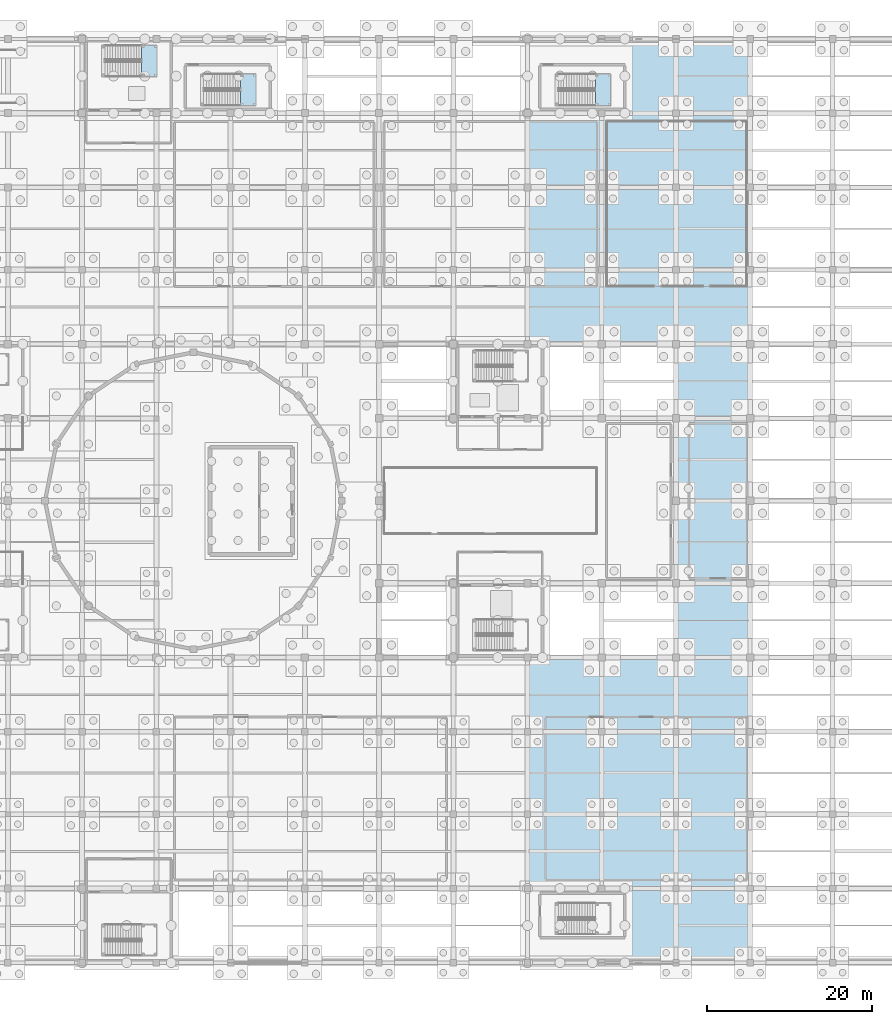
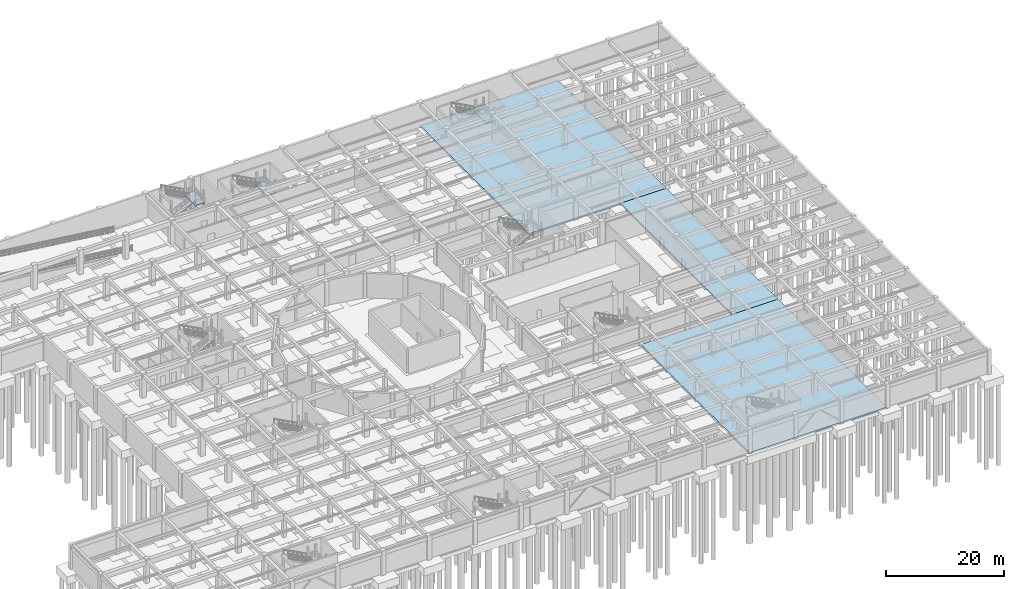
# One storey, part 35 of 62: 6 slabs, 3 elements without a shape of their own.
"""IFC4 building model written with IfcOpenShell, lengths in metres."""

from ifc_helpers import new_model, si_unit, direction, frame, origin, place, context, subcontext, project, spatial, polyline, outline, extrude, material, layer, layer_set, type_object, element, aggregate, save


model = new_model("IFC4")

# Units and contexts
model_context = context("Model", 3, precision=1e-05, world=origin(), true_north=direction((0.0, 1.0)))
body_context = subcontext(model_context, "Body", "Model", "MODEL_VIEW")
ifc_project = project(units=[si_unit("LENGTHUNIT", "METRE"), si_unit("AREAUNIT", "SQUARE_METRE"), si_unit("VOLUMEUNIT", "CUBIC_METRE"), si_unit("PLANEANGLEUNIT", "RADIAN"), si_unit("MASSUNIT", "GRAM", prefix="KILO")], contexts=[model_context])

# Site, building, storey
site_placement = place(None, origin())
site = spatial("IfcSite", under=ifc_project, at=site_placement, CompositionType="ELEMENT")
building_placement = place(site_placement, origin())
building = spatial("IfcBuilding", under=site, at=building_placement, Name="Miravela Opera House", CompositionType="ELEMENT")
storey_placement = place(building_placement, frame((0.0, 0.0, -5.10009765625)))
storey = spatial("IfcBuildingStorey", under=building, at=storey_placement, Name="B01", CompositionType="ELEMENT", Elevation=-5.10009765625)

# Stair, slab
ifc_material = material(Name="Concrete C35/45", Category="concrete")
stair_type_1 = type_object("IfcStairType", Name="ARC-STAIR-CORE-1680", PredefinedType="HALF_TURN_STAIR", material=ifc_material)
stair_1_placement = place(storey_placement, origin())
stair_1 = element("IfcStair", 1, at=stair_1_placement, inside=storey, type_object=stair_type_1, Name="B01 Core K5 North Rehearsal Core Exit Stair ST-05", PredefinedType="HALF_TURN_STAIR")
ifc_layer_1 = layer(ifc_material, 0.199951171875)
ifc_layer_set_1 = layer_set([ifc_layer_1])
slab_type_1 = type_object("IfcSlabType", Name="ARC-LANDING-200", PredefinedType="LANDING", material=ifc_layer_set_1)
slab_1_placement = place(storey_placement, frame((0.0, 0.0, 2.35009765625)))
slab_1 = element("IfcSlab", 2, at=slab_1_placement, type_object=slab_type_1, Name="ST-05 landing 1", PredefinedType="LANDING", context=body_context, shape_type="SweptSolid", body=[
    extrude(outline(polyline([(70.219970703125, 107.39990234375), (72.10009765625, 107.39990234375), (72.10009765625, 111.280029296875), (70.219970703125, 111.280029296875), (70.219970703125, 107.39990234375)])), origin(), (0.0, 0.0, 1.0), 0.199951171875),
])
aggregate(stair_1, [slab_1])

stair_type_2 = type_object("IfcStairType", Name="ARC-STAIR-WING-1680", PredefinedType="HALF_TURN_STAIR", material=ifc_material)
stair_2_placement = place(storey_placement, origin())
stair_2 = element("IfcStair", 3, at=stair_2_placement, inside=storey, type_object=stair_type_2, Name="B01 North Wing West Exit Stair ST-07", PredefinedType="HALF_TURN_STAIR")
ifc_layer_2 = layer(ifc_material, 0.215087890625)
ifc_layer_set_2 = layer_set([ifc_layer_2])
slab_type_2 = type_object("IfcSlabType", Name="ARC-LANDING-215", PredefinedType="LANDING", material=ifc_layer_set_2)
slab_2_placement = place(storey_placement, frame((0.0, 0.0, 2.335205078125)))
slab_2 = element("IfcSlab", 4, at=slab_2_placement, type_object=slab_type_2, Name="ST-07 landing 1", PredefinedType="LANDING", context=body_context, shape_type="SweptSolid", body=[
    extrude(outline(polyline([(82.219970703125, 103.89990234375), (84.10009765625, 103.89990234375), (84.10009765625, 107.780029296875), (82.219970703125, 107.780029296875), (82.219970703125, 103.89990234375)])), origin(), (0.0, 0.0, 1.0), 0.21484375),
])
aggregate(stair_2, [slab_2])

stair_3_placement = place(storey_placement, origin())
stair_3 = element("IfcStair", 5, at=stair_3_placement, inside=storey, type_object=stair_type_2, Name="B01 East Rehearsal Wing Exit Stair ST-09", PredefinedType="HALF_TURN_STAIR")
slab_3_placement = place(storey_placement, frame((0.0, 0.0, 2.335205078125)))
slab_3 = element("IfcSlab", 6, at=slab_3_placement, type_object=slab_type_2, Name="ST-09 landing 1", PredefinedType="LANDING", context=body_context, shape_type="SweptSolid", body=[
    extrude(outline(polyline([(125.219970703125, 103.89990234375), (127.10009765625, 103.89990234375), (127.10009765625, 107.780029296875), (125.219970703125, 107.780029296875), (125.219970703125, 103.89990234375)])), origin(), (0.0, 0.0, 1.0), 0.21484375),
])
aggregate(stair_3, [slab_3])

# Slabs
ifc_layer_3 = layer(ifc_material, 0.35009765625)
ifc_layer_set_3 = layer_set([ifc_layer_3])
slab_type_3 = type_object("IfcSlabType", Name="STR-SLAB-BASE-350", PredefinedType="BASESLAB", material=ifc_layer_set_3)
slab_4_placement = place(storey_placement, frame((0.0, 0.0, -0.349853515625)))
element("IfcSlab", 7, at=slab_4_placement, inside=storey, type_object=slab_type_3, Name="Basement Slab SLAB-B01-V4F", PredefinedType="BASESLAB", context=body_context, shape_type="SweptSolid", body=[
    extrude(outline(polyline([(117.0, 0.0), (144.0, 0.0), (144.0, 37.0), (117.0, 37.0), (117.0, 0.0)])), origin(), (0.0, 0.0, 1.0), 0.349853515625),
])
slab_5_placement = place(storey_placement, frame((0.0, 0.0, -0.349853515625)))
element("IfcSlab", 8, at=slab_5_placement, inside=storey, type_object=slab_type_3, Name="Basement Slab SLAB-B01-V3F", PredefinedType="BASESLAB", context=body_context, shape_type="SweptSolid", body=[
    extrude(outline(polyline([(117.0, 75.0), (144.0, 75.0), (144.0, 112.0), (117.0, 112.0), (117.0, 75.0)])), origin(), (0.0, 0.0, 1.0), 0.349853515625),
])
slab_6_placement = place(storey_placement, frame((0.0, 0.0, -0.349853515625)))
element("IfcSlab", 9, at=slab_6_placement, inside=storey, type_object=slab_type_3, Name="Basement Slab SLAB-B01-V2E", PredefinedType="BASESLAB", context=body_context, shape_type="SweptSolid", body=[
    extrude(outline(polyline([(135.0, 37.0), (144.0, 37.0), (144.0, 75.0), (135.0, 75.0), (135.0, 37.0)])), origin(), (0.0, 0.0, 1.0), 0.349853515625),
])

save(model, "model.ifc")
